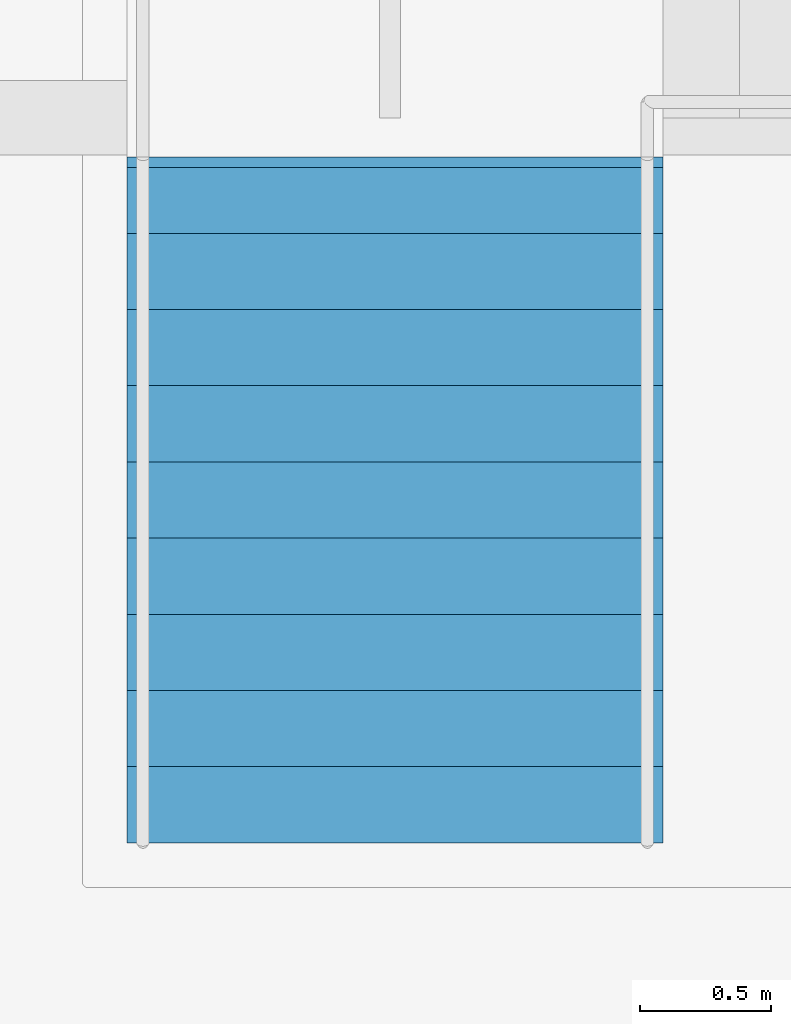
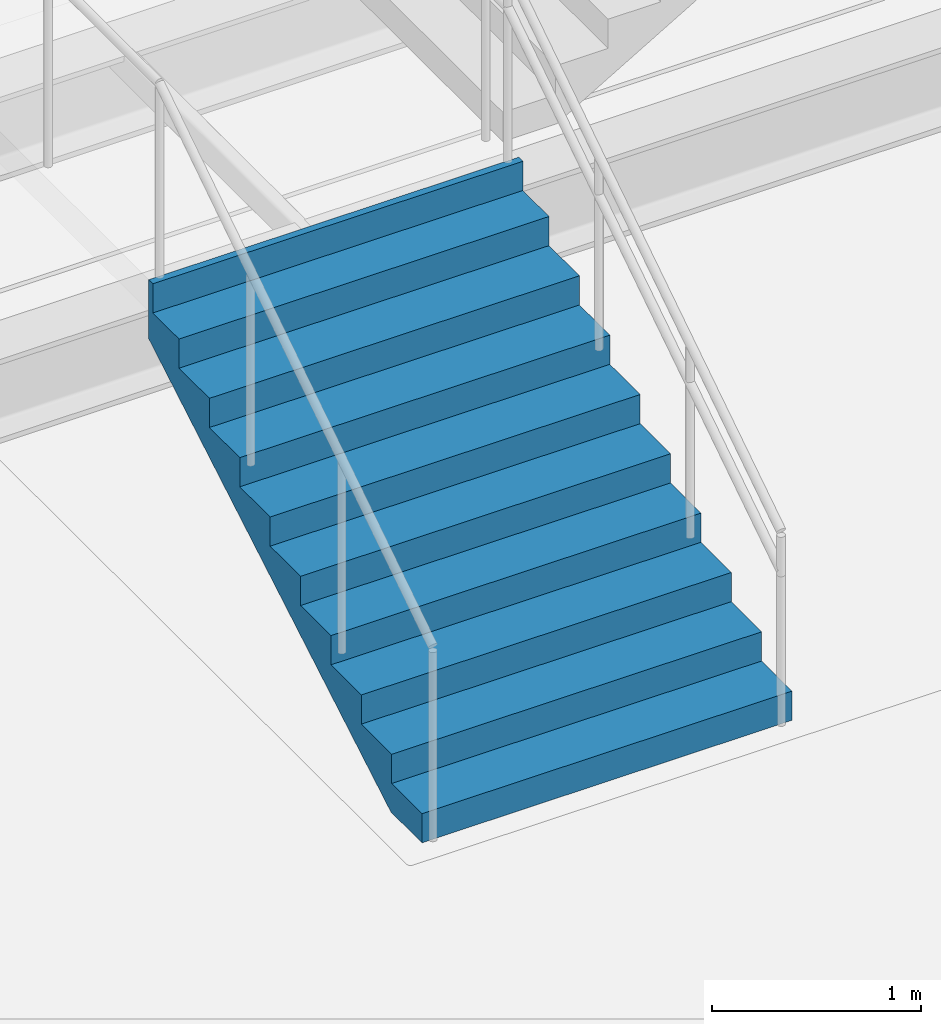
# One storey, part 57 of 66: 1 stair flight, 1 element without a shape of its own.
"""IFC4 building model written with IfcOpenShell, lengths in metres."""

from ifc_helpers import new_model, si_unit, direction, frame, origin, place, context, subcontext, project, spatial, triangles, material, type_object, element, aggregate, save


model = new_model("IFC4")

# Units and contexts
model_context = context("Model", 3, precision=1e-05, world=origin(), true_north=direction((0.0, 1.0)))
body_context = subcontext(model_context, "Body", "Model", "MODEL_VIEW")
ifc_project = project(units=[si_unit("LENGTHUNIT", "METRE"), si_unit("AREAUNIT", "SQUARE_METRE"), si_unit("VOLUMEUNIT", "CUBIC_METRE"), si_unit("PLANEANGLEUNIT", "RADIAN"), si_unit("MASSUNIT", "GRAM", prefix="KILO")], contexts=[model_context])

# Site, building, storey
site_placement = place(None, origin())
site = spatial("IfcSite", under=ifc_project, at=site_placement, CompositionType="ELEMENT")
building_placement = place(site_placement, origin())
building = spatial("IfcBuilding", under=site, at=building_placement, Name="Sillaruma Civic Art Gallery", CompositionType="ELEMENT")
storey_placement = place(building_placement, frame((0.0, 0.0, 57.1201171875)))
storey = spatial("IfcBuildingStorey", under=building, at=storey_placement, Name="L11", CompositionType="ELEMENT", Elevation=57.1201171875)

# Stair, stair flight
ifc_material = material(Name="Concrete H35 (35 MPa)", Category="concrete")
stair_type = type_object("IfcStairType", Name="STR-3F-30", PredefinedType="TWO_QUARTER_TURN_STAIR", material=ifc_material)
stair_placement = place(storey_placement, origin())
stair = element("IfcStair", 1, at=stair_placement, inside=storey, type_object=stair_type, Name="Monumental Gallery Feature Stair ST-G07 (L11)", PredefinedType="TWO_QUARTER_TURN_STAIR")
stair_flight_type = type_object("IfcStairFlightType", Name="SFL-STR-10", PredefinedType="STRAIGHT", material=ifc_material)
stair_flight_placement = place(storey_placement, frame((85.6201171875, 51.199951171875, 0.0), z_axis=(0.0, 0.0, 1.0), x_axis=(0.0, 1.0, 0.0)))
stair_flight = element("IfcStairFlight", 2, at=stair_flight_placement, type_object=stair_flight_type, Name="ST-G07 flight 1", NumberOfRisers=10, NumberOfTreads=9, PredefinedType="STRAIGHT", RiserHeight=0.17, TreadLength=0.29, context=body_context, shape_type="Tessellation", body=[
    triangles([(0.0, -1.02001953125, 0.0), (0.29, -1.02001953125, 0.0), (0.296521, -1.02001953125, 0.0), (0.58, -1.02001953125, 0.166177), (0.87, -1.02001953125, 0.336177), (1.16, -1.02001953125, 0.506177), (1.45, -1.02001953125, 0.676177), (1.74, -1.02001953125, 0.846177), (2.03, -1.02001953125, 1.016177), (2.32, -1.02001953125, 1.186177), (2.570107, -1.02001953125, 1.332792), (2.610107, -1.02001953125, 1.35624), (2.610107, -1.02001953125, 1.7), (2.570107, -1.02001953125, 1.7), (2.570107, -1.02001953125, 1.53), (2.32, -1.02001953125, 1.53), (2.32, -1.02001953125, 1.36), (2.03, -1.02001953125, 1.36), (2.03, -1.02001953125, 1.19), (1.74, -1.02001953125, 1.19), (1.74, -1.02001953125, 1.02), (1.45, -1.02001953125, 1.02), (1.45, -1.02001953125, 0.85), (1.16, -1.02001953125, 0.85), (1.16, -1.02001953125, 0.68), (0.87, -1.02001953125, 0.68), (0.87, -1.02001953125, 0.51), (0.58, -1.02001953125, 0.51), (0.58, -1.02001953125, 0.34), (0.296521, -1.02001953125, 0.34), (0.29, -1.02001953125, 0.34), (0.29, -1.02001953125, 0.17), (0.0, -1.02001953125, 0.17), (0.0, -0.05, 0.0), (0.29, -0.05, 0.0), (0.296521, -0.05, 0.0), (0.58, -0.05, 0.166177), (0.87, -0.05, 0.336177), (1.16, -0.05, 0.506177), (1.45, -0.05, 0.676177), (1.74, -0.05, 0.846177), (2.03, -0.05, 1.016177), (2.32, -0.05, 1.186177), (2.570107, -0.05, 1.332792), (2.610107, -0.05, 1.35624), (2.610107, -0.05, 1.7), (2.570107, -0.05, 1.7), (2.570107, -0.05, 1.53), (2.32, -0.05, 1.53), (2.32, -0.05, 1.36), (2.03, -0.05, 1.36), (2.03, -0.05, 1.19), (1.74, -0.05, 1.19), (1.74, -0.05, 1.02), (1.45, -0.05, 1.02), (1.45, -0.05, 0.85), (1.16, -0.05, 0.85), (1.16, -0.05, 0.68), (0.87, -0.05, 0.68), (0.87, -0.05, 0.51), (0.58, -0.05, 0.51), (0.58, -0.05, 0.34), (0.296521, -0.05, 0.34), (0.29, -0.05, 0.34), (0.29, -0.05, 0.17), (0.0, -0.05, 0.17), (0.0, -0.0375, 0.0), (0.29, -0.0375, 0.0), (0.296521, -0.0375, 0.0), (0.58, -0.0375, 0.166177), (0.87, -0.0375, 0.336177), (1.16, -0.0375, 0.506177), (1.45, -0.0375, 0.676177), (1.74, -0.0375, 0.846177), (2.03, -0.0375, 1.016177), (2.32, -0.0375, 1.186177), (2.570107, -0.0375, 1.332792), (2.610107, -0.0375, 1.35624), (2.610107, -0.0375, 1.7), (2.570107, -0.0375, 1.7), (2.570107, -0.0375, 1.53), (2.32, -0.0375, 1.53), (2.32, -0.0375, 1.36), (2.03, -0.0375, 1.36), (2.03, -0.0375, 1.19), (1.74, -0.0375, 1.19), (1.74, -0.0375, 1.02), (1.45, -0.0375, 1.02), (1.45, -0.0375, 0.85), (1.16, -0.0375, 0.85), (1.16, -0.0375, 0.68), (0.87, -0.0375, 0.68), (0.87, -0.0375, 0.51), (0.58, -0.0375, 0.51), (0.58, -0.0375, 0.34), (0.296521, -0.0375, 0.34), (0.29, -0.0375, 0.34), (0.29, -0.0375, 0.17), (0.0, -0.0375, 0.17), (0.0, -0.025, 0.0), (0.29, -0.025, 0.0), (0.296521, -0.025, 0.0), (0.58, -0.025, 0.166177), (0.87, -0.025, 0.336177), (1.16, -0.025, 0.506177), (1.45, -0.025, 0.676177), (1.74, -0.025, 0.846177), (2.03, -0.025, 1.016177), (2.32, -0.025, 1.186177), (2.570107, -0.025, 1.332792), (2.610107, -0.025, 1.35624), (2.610107, -0.025, 1.7), (2.570107, -0.025, 1.7), (2.570107, -0.025, 1.53), (2.32, -0.025, 1.53), (2.32, -0.025, 1.36), (2.03, -0.025, 1.36), (2.03, -0.025, 1.19), (1.74, -0.025, 1.19), (1.74, -0.025, 1.02), (1.45, -0.025, 1.02), (1.45, -0.025, 0.85), (1.16, -0.025, 0.85), (1.16, -0.025, 0.68), (0.87, -0.025, 0.68), (0.87, -0.025, 0.51), (0.58, -0.025, 0.51), (0.58, -0.025, 0.34), (0.296521, -0.025, 0.34), (0.29, -0.025, 0.34), (0.29, -0.025, 0.17), (0.0, -0.025, 0.17), (0.0, -0.0125, 0.0), (0.29, -0.0125, 0.0), (0.296521, -0.0125, 0.0), (0.58, -0.0125, 0.166177), (0.87, -0.0125, 0.336177), (1.16, -0.0125, 0.506177), (1.45, -0.0125, 0.676177), (1.74, -0.0125, 0.846177), (2.03, -0.0125, 1.016177), (2.32, -0.0125, 1.186177), (2.570107, -0.0125, 1.332792), (2.610107, -0.0125, 1.35624), (2.610107, -0.0125, 1.7), (2.570107, -0.0125, 1.7), (2.570107, -0.0125, 1.53), (2.32, -0.0125, 1.53), (2.32, -0.0125, 1.36), (2.03, -0.0125, 1.36), (2.03, -0.0125, 1.19), (1.74, -0.0125, 1.19), (1.74, -0.0125, 1.02), (1.45, -0.0125, 1.02), (1.45, -0.0125, 0.85), (1.16, -0.0125, 0.85), (1.16, -0.0125, 0.68), (0.87, -0.0125, 0.68), (0.87, -0.0125, 0.51), (0.58, -0.0125, 0.51), (0.58, -0.0125, 0.34), (0.296521, -0.0125, 0.34), (0.29, -0.0125, 0.34), (0.29, -0.0125, 0.17), (0.0, -0.0125, 0.17), (0.0, 0.0, 0.0), (0.29, 0.0, 0.0), (0.296521, 0.0, 0.0), (0.58, 0.0, 0.166177), (0.87, 0.0, 0.336177), (1.16, 0.0, 0.506177), (1.45, 0.0, 0.676177), (1.74, 0.0, 0.846177), (2.03, 0.0, 1.016177), (2.32, 0.0, 1.186177), (2.570107, 0.0, 1.332792), (2.610107, 0.0, 1.35624), (2.610107, 0.0, 1.7), (2.570107, 0.0, 1.7), (2.570107, 0.0, 1.53), (2.32, 0.0, 1.53), (2.32, 0.0, 1.36), (2.03, 0.0, 1.36), (2.03, 0.0, 1.19), (1.74, 0.0, 1.19), (1.74, 0.0, 1.02), (1.45, 0.0, 1.02), (1.45, 0.0, 0.85), (1.16, 0.0, 0.85), (1.16, 0.0, 0.68), (0.87, 0.0, 0.68), (0.87, 0.0, 0.51), (0.58, 0.0, 0.51), (0.58, 0.0, 0.34), (0.296521, 0.0, 0.34), (0.29, 0.0, 0.34), (0.29, 0.0, 0.17), (0.0, 0.0, 0.17), (0.0, 0.0125, 0.0), (0.29, 0.0125, 0.0), (0.296521, 0.0125, 0.0), (0.58, 0.0125, 0.166177), (0.87, 0.0125, 0.336177), (1.16, 0.0125, 0.506177), (1.45, 0.0125, 0.676177), (1.74, 0.0125, 0.846177), (2.03, 0.0125, 1.016177), (2.32, 0.0125, 1.186177), (2.570107, 0.0125, 1.332792), (2.610107, 0.0125, 1.35624), (2.610107, 0.0125, 1.7), (2.570107, 0.0125, 1.7), (2.570107, 0.0125, 1.53), (2.32, 0.0125, 1.53), (2.32, 0.0125, 1.36), (2.03, 0.0125, 1.36), (2.03, 0.0125, 1.19), (1.74, 0.0125, 1.19), (1.74, 0.0125, 1.02), (1.45, 0.0125, 1.02), (1.45, 0.0125, 0.85), (1.16, 0.0125, 0.85), (1.16, 0.0125, 0.68), (0.87, 0.0125, 0.68), (0.87, 0.0125, 0.51), (0.58, 0.0125, 0.51), (0.58, 0.0125, 0.34), (0.296521, 0.0125, 0.34), (0.29, 0.0125, 0.34), (0.29, 0.0125, 0.17), (0.0, 0.0125, 0.17), (0.0, 0.025, 0.0), (0.29, 0.025, 0.0), (0.296521, 0.025, 0.0), (0.58, 0.025, 0.166177), (0.87, 0.025, 0.336177), (1.16, 0.025, 0.506177), (1.45, 0.025, 0.676177), (1.74, 0.025, 0.846177), (2.03, 0.025, 1.016177), (2.32, 0.025, 1.186177), (2.570107, 0.025, 1.332792), (2.610107, 0.025, 1.35624), (2.610107, 0.025, 1.7), (2.570107, 0.025, 1.7), (2.570107, 0.025, 1.53), (2.32, 0.025, 1.53), (2.32, 0.025, 1.36), (2.03, 0.025, 1.36), (2.03, 0.025, 1.19), (1.74, 0.025, 1.19), (1.74, 0.025, 1.02), (1.45, 0.025, 1.02), (1.45, 0.025, 0.85), (1.16, 0.025, 0.85), (1.16, 0.025, 0.68), (0.87, 0.025, 0.68), (0.87, 0.025, 0.51), (0.58, 0.025, 0.51), (0.58, 0.025, 0.34), (0.296521, 0.025, 0.34), (0.29, 0.025, 0.34), (0.29, 0.025, 0.17), (0.0, 0.025, 0.17), (0.0, 0.0375, 0.0), (0.29, 0.0375, 0.0), (0.296521, 0.0375, 0.0), (0.58, 0.0375, 0.166177), (0.87, 0.0375, 0.336177), (1.16, 0.0375, 0.506177), (1.45, 0.0375, 0.676177), (1.74, 0.0375, 0.846177), (2.03, 0.0375, 1.016177), (2.32, 0.0375, 1.186177), (2.570107, 0.0375, 1.332792), (2.610107, 0.0375, 1.35624), (2.610107, 0.0375, 1.7), (2.570107, 0.0375, 1.7), (2.570107, 0.0375, 1.53), (2.32, 0.0375, 1.53), (2.32, 0.0375, 1.36), (2.03, 0.0375, 1.36), (2.03, 0.0375, 1.19), (1.74, 0.0375, 1.19), (1.74, 0.0375, 1.02), (1.45, 0.0375, 1.02), (1.45, 0.0375, 0.85), (1.16, 0.0375, 0.85), (1.16, 0.0375, 0.68), (0.87, 0.0375, 0.68), (0.87, 0.0375, 0.51), (0.58, 0.0375, 0.51), (0.58, 0.0375, 0.34), (0.296521, 0.0375, 0.34), (0.29, 0.0375, 0.34), (0.29, 0.0375, 0.17), (0.0, 0.0375, 0.17), (0.0, 0.05, 0.0), (0.29, 0.05, 0.0), (0.296521, 0.05, 0.0), (0.58, 0.05, 0.166177), (0.87, 0.05, 0.336177), (1.16, 0.05, 0.506177), (1.45, 0.05, 0.676177), (1.74, 0.05, 0.846177), (2.03, 0.05, 1.016177), (2.32, 0.05, 1.186177), (2.570107, 0.05, 1.332792), (2.610107, 0.05, 1.35624), (2.610107, 0.05, 1.7), (2.570107, 0.05, 1.7), (2.570107, 0.05, 1.53), (2.32, 0.05, 1.53), (2.32, 0.05, 1.36), (2.03, 0.05, 1.36), (2.03, 0.05, 1.19), (1.74, 0.05, 1.19), (1.74, 0.05, 1.02), (1.45, 0.05, 1.02), (1.45, 0.05, 0.85), (1.16, 0.05, 0.85), (1.16, 0.05, 0.68), (0.87, 0.05, 0.68), (0.87, 0.05, 0.51), (0.58, 0.05, 0.51), (0.58, 0.05, 0.34), (0.296521, 0.05, 0.34), (0.29, 0.05, 0.34), (0.29, 0.05, 0.17), (0.0, 0.05, 0.17), (0.0, 1.02001953125, 0.0), (0.29, 1.02001953125, 0.0), (0.296521, 1.02001953125, 0.0), (0.58, 1.02001953125, 0.166177), (0.87, 1.02001953125, 0.336177), (1.16, 1.02001953125, 0.506177), (1.45, 1.02001953125, 0.676177), (1.74, 1.02001953125, 0.846177), (2.03, 1.02001953125, 1.016177), (2.32, 1.02001953125, 1.186177), (2.570107, 1.02001953125, 1.332792), (2.610107, 1.02001953125, 1.35624), (2.610107, 1.02001953125, 1.7), (2.570107, 1.02001953125, 1.7), (2.570107, 1.02001953125, 1.53), (2.32, 1.02001953125, 1.53), (2.32, 1.02001953125, 1.36), (2.03, 1.02001953125, 1.36), (2.03, 1.02001953125, 1.19), (1.74, 1.02001953125, 1.19), (1.74, 1.02001953125, 1.02), (1.45, 1.02001953125, 1.02), (1.45, 1.02001953125, 0.85), (1.16, 1.02001953125, 0.85), (1.16, 1.02001953125, 0.68), (0.87, 1.02001953125, 0.68), (0.87, 1.02001953125, 0.51), (0.58, 1.02001953125, 0.51), (0.58, 1.02001953125, 0.34), (0.296521, 1.02001953125, 0.34), (0.29, 1.02001953125, 0.34), (0.29, 1.02001953125, 0.17), (0.0, 1.02001953125, 0.17)], [[1, 2, 32], [1, 32, 33], [2, 3, 30], [2, 30, 32], [32, 30, 31], [3, 4, 29], [3, 29, 30], [4, 5, 27], [4, 27, 29], [29, 27, 28], [5, 6, 25], [5, 25, 27], [27, 25, 26], [6, 7, 23], [6, 23, 25], [25, 23, 24], [7, 8, 21], [7, 21, 23], [23, 21, 22], [8, 9, 19], [8, 19, 21], [21, 19, 20], [9, 10, 17], [9, 17, 19], [19, 17, 18], [10, 11, 15], [10, 15, 17], [17, 15, 16], [11, 12, 13], [11, 13, 15], [15, 13, 14], [362, 332, 331], [363, 362, 331], [360, 333, 332], [362, 360, 332], [361, 360, 362], [359, 334, 333], [360, 359, 333], [357, 335, 334], [359, 357, 334], [358, 357, 359], [355, 336, 335], [357, 355, 335], [356, 355, 357], [353, 337, 336], [355, 353, 336], [354, 353, 355], [351, 338, 337], [353, 351, 337], [352, 351, 353], [349, 339, 338], [351, 349, 338], [350, 349, 351], [347, 340, 339], [349, 347, 339], [348, 347, 349], [345, 341, 340], [347, 345, 340], [346, 345, 347], [343, 342, 341], [345, 343, 341], [344, 343, 345], [2, 1, 34], [2, 34, 35], [3, 2, 35], [3, 35, 36], [4, 3, 36], [4, 36, 37], [5, 4, 37], [5, 37, 38], [6, 5, 38], [6, 38, 39], [7, 6, 39], [7, 39, 40], [8, 7, 40], [8, 40, 41], [9, 8, 41], [9, 41, 42], [10, 9, 42], [10, 42, 43], [11, 10, 43], [11, 43, 44], [12, 11, 44], [12, 44, 45], [13, 12, 45], [13, 45, 46], [14, 13, 46], [14, 46, 47], [15, 14, 47], [15, 47, 48], [16, 15, 48], [16, 48, 49], [17, 16, 49], [17, 49, 50], [18, 17, 50], [18, 50, 51], [19, 18, 51], [19, 51, 52], [20, 19, 52], [20, 52, 53], [21, 20, 53], [21, 53, 54], [22, 21, 54], [22, 54, 55], [23, 22, 55], [23, 55, 56], [24, 23, 56], [24, 56, 57], [25, 24, 57], [25, 57, 58], [26, 25, 58], [26, 58, 59], [27, 26, 59], [27, 59, 60], [28, 27, 60], [28, 60, 61], [29, 28, 61], [29, 61, 62], [30, 29, 62], [30, 62, 63], [31, 30, 63], [31, 63, 64], [32, 31, 64], [32, 64, 65], [33, 32, 65], [33, 65, 66], [1, 33, 66], [1, 66, 34], [35, 34, 67], [35, 67, 68], [36, 35, 68], [36, 68, 69], [37, 36, 69], [37, 69, 70], [38, 37, 70], [38, 70, 71], [39, 38, 71], [39, 71, 72], [40, 39, 72], [40, 72, 73], [41, 40, 73], [41, 73, 74], [42, 41, 74], [42, 74, 75], [43, 42, 75], [43, 75, 76], [44, 43, 76], [44, 76, 77], [45, 44, 77], [45, 77, 78], [46, 45, 78], [46, 78, 79], [47, 46, 79], [47, 79, 80], [48, 47, 80], [48, 80, 81], [49, 48, 81], [49, 81, 82], [50, 49, 82], [50, 82, 83], [51, 50, 83], [51, 83, 84], [52, 51, 84], [52, 84, 85], [53, 52, 85], [53, 85, 86], [54, 53, 86], [54, 86, 87], [55, 54, 87], [55, 87, 88], [56, 55, 88], [56, 88, 89], [57, 56, 89], [57, 89, 90], [58, 57, 90], [58, 90, 91], [59, 58, 91], [59, 91, 92], [60, 59, 92], [60, 92, 93], [61, 60, 93], [61, 93, 94], [62, 61, 94], [62, 94, 95], [63, 62, 95], [63, 95, 96], [64, 63, 96], [64, 96, 97], [65, 64, 97], [65, 97, 98], [66, 65, 98], [66, 98, 99], [34, 66, 99], [34, 99, 67], [68, 67, 100], [68, 100, 101], [69, 68, 101], [69, 101, 102], [70, 69, 102], [70, 102, 103], [71, 70, 103], [71, 103, 104], [72, 71, 104], [72, 104, 105], [73, 72, 105], [73, 105, 106], [74, 73, 106], [74, 106, 107], [75, 74, 107], [75, 107, 108], [76, 75, 108], [76, 108, 109], [77, 76, 109], [77, 109, 110], [78, 77, 110], [78, 110, 111], [79, 78, 111], [79, 111, 112], [80, 79, 112], [80, 112, 113], [81, 80, 113], [81, 113, 114], [82, 81, 114], [82, 114, 115], [83, 82, 115], [83, 115, 116], [84, 83, 116], [84, 116, 117], [85, 84, 117], [85, 117, 118], [86, 85, 118], [86, 118, 119], [87, 86, 119], [87, 119, 120], [88, 87, 120], [88, 120, 121], [89, 88, 121], [89, 121, 122], [90, 89, 122], [90, 122, 123], [91, 90, 123], [91, 123, 124], [92, 91, 124], [92, 124, 125], [93, 92, 125], [93, 125, 126], [94, 93, 126], [94, 126, 127], [95, 94, 127], [95, 127, 128], [96, 95, 128], [96, 128, 129], [97, 96, 129], [97, 129, 130], [98, 97, 130], [98, 130, 131], [99, 98, 131], [99, 131, 132], [67, 99, 132], [67, 132, 100], [101, 100, 133], [101, 133, 134], [102, 101, 134], [102, 134, 135], [103, 102, 135], [103, 135, 136], [104, 103, 136], [104, 136, 137], [105, 104, 137], [105, 137, 138], [106, 105, 138], [106, 138, 139], [107, 106, 139], [107, 139, 140], [108, 107, 140], [108, 140, 141], [109, 108, 141], [109, 141, 142], [110, 109, 142], [110, 142, 143], [111, 110, 143], [111, 143, 144], [112, 111, 144], [112, 144, 145], [113, 112, 145], [113, 145, 146], [114, 113, 146], [114, 146, 147], [115, 114, 147], [115, 147, 148], [116, 115, 148], [116, 148, 149], [117, 116, 149], [117, 149, 150], [118, 117, 150], [118, 150, 151], [119, 118, 151], [119, 151, 152], [120, 119, 152], [120, 152, 153], [121, 120, 153], [121, 153, 154], [122, 121, 154], [122, 154, 155], [123, 122, 155], [123, 155, 156], [124, 123, 156], [124, 156, 157], [125, 124, 157], [125, 157, 158], [126, 125, 158], [126, 158, 159], [127, 126, 159], [127, 159, 160], [128, 127, 160], [128, 160, 161], [129, 128, 161], [129, 161, 162], [130, 129, 162], [130, 162, 163], [131, 130, 163], [131, 163, 164], [132, 131, 164], [132, 164, 165], [100, 132, 165], [100, 165, 133], [134, 133, 166], [134, 166, 167], [135, 134, 167], [135, 167, 168], [136, 135, 168], [136, 168, 169], [137, 136, 169], [137, 169, 170], [138, 137, 170], [138, 170, 171], [139, 138, 171], [139, 171, 172], [140, 139, 172], [140, 172, 173], [141, 140, 173], [141, 173, 174], [142, 141, 174], [142, 174, 175], [143, 142, 175], [143, 175, 176], [144, 143, 176], [144, 176, 177], [145, 144, 177], [145, 177, 178], [146, 145, 178], [146, 178, 179], [147, 146, 179], [147, 179, 180], [148, 147, 180], [148, 180, 181], [149, 148, 181], [149, 181, 182], [150, 149, 182], [150, 182, 183], [151, 150, 183], [151, 183, 184], [152, 151, 184], [152, 184, 185], [153, 152, 185], [153, 185, 186], [154, 153, 186], [154, 186, 187], [155, 154, 187], [155, 187, 188], [156, 155, 188], [156, 188, 189], [157, 156, 189], [157, 189, 190], [158, 157, 190], [158, 190, 191], [159, 158, 191], [159, 191, 192], [160, 159, 192], [160, 192, 193], [161, 160, 193], [161, 193, 194], [162, 161, 194], [162, 194, 195], [163, 162, 195], [163, 195, 196], [164, 163, 196], [164, 196, 197], [165, 164, 197], [165, 197, 198], [133, 165, 198], [133, 198, 166], [167, 166, 199], [167, 199, 200], [168, 167, 200], [168, 200, 201], [169, 168, 201], [169, 201, 202], [170, 169, 202], [170, 202, 203], [171, 170, 203], [171, 203, 204], [172, 171, 204], [172, 204, 205], [173, 172, 205], [173, 205, 206], [174, 173, 206], [174, 206, 207], [175, 174, 207], [175, 207, 208], [176, 175, 208], [176, 208, 209], [177, 176, 209], [177, 209, 210], [178, 177, 210], [178, 210, 211], [179, 178, 211], [179, 211, 212], [180, 179, 212], [180, 212, 213], [181, 180, 213], [181, 213, 214], [182, 181, 214], [182, 214, 215], [183, 182, 215], [183, 215, 216], [184, 183, 216], [184, 216, 217], [185, 184, 217], [185, 217, 218], [186, 185, 218], [186, 218, 219], [187, 186, 219], [187, 219, 220], [188, 187, 220], [188, 220, 221], [189, 188, 221], [189, 221, 222], [190, 189, 222], [190, 222, 223], [191, 190, 223], [191, 223, 224], [192, 191, 224], [192, 224, 225], [193, 192, 225], [193, 225, 226], [194, 193, 226], [194, 226, 227], [195, 194, 227], [195, 227, 228], [196, 195, 228], [196, 228, 229], [197, 196, 229], [197, 229, 230], [198, 197, 230], [198, 230, 231], [166, 198, 231], [166, 231, 199], [200, 199, 232], [200, 232, 233], [201, 200, 233], [201, 233, 234], [202, 201, 234], [202, 234, 235], [203, 202, 235], [203, 235, 236], [204, 203, 236], [204, 236, 237], [205, 204, 237], [205, 237, 238], [206, 205, 238], [206, 238, 239], [207, 206, 239], [207, 239, 240], [208, 207, 240], [208, 240, 241], [209, 208, 241], [209, 241, 242], [210, 209, 242], [210, 242, 243], [211, 210, 243], [211, 243, 244], [212, 211, 244], [212, 244, 245], [213, 212, 245], [213, 245, 246], [214, 213, 246], [214, 246, 247], [215, 214, 247], [215, 247, 248], [216, 215, 248], [216, 248, 249], [217, 216, 249], [217, 249, 250], [218, 217, 250], [218, 250, 251], [219, 218, 251], [219, 251, 252], [220, 219, 252], [220, 252, 253], [221, 220, 253], [221, 253, 254], [222, 221, 254], [222, 254, 255], [223, 222, 255], [223, 255, 256], [224, 223, 256], [224, 256, 257], [225, 224, 257], [225, 257, 258], [226, 225, 258], [226, 258, 259], [227, 226, 259], [227, 259, 260], [228, 227, 260], [228, 260, 261], [229, 228, 261], [229, 261, 262], [230, 229, 262], [230, 262, 263], [231, 230, 263], [231, 263, 264], [199, 231, 264], [199, 264, 232], [233, 232, 265], [233, 265, 266], [234, 233, 266], [234, 266, 267], [235, 234, 267], [235, 267, 268], [236, 235, 268], [236, 268, 269], [237, 236, 269], [237, 269, 270], [238, 237, 270], [238, 270, 271], [239, 238, 271], [239, 271, 272], [240, 239, 272], [240, 272, 273], [241, 240, 273], [241, 273, 274], [242, 241, 274], [242, 274, 275], [243, 242, 275], [243, 275, 276], [244, 243, 276], [244, 276, 277], [245, 244, 277], [245, 277, 278], [246, 245, 278], [246, 278, 279], [247, 246, 279], [247, 279, 280], [248, 247, 280], [248, 280, 281], [249, 248, 281], [249, 281, 282], [250, 249, 282], [250, 282, 283], [251, 250, 283], [251, 283, 284], [252, 251, 284], [252, 284, 285], [253, 252, 285], [253, 285, 286], [254, 253, 286], [254, 286, 287], [255, 254, 287], [255, 287, 288], [256, 255, 288], [256, 288, 289], [257, 256, 289], [257, 289, 290], [258, 257, 290], [258, 290, 291], [259, 258, 291], [259, 291, 292], [260, 259, 292], [260, 292, 293], [261, 260, 293], [261, 293, 294], [262, 261, 294], [262, 294, 295], [263, 262, 295], [263, 295, 296], [264, 263, 296], [264, 296, 297], [232, 264, 297], [232, 297, 265], [266, 265, 298], [266, 298, 299], [267, 266, 299], [267, 299, 300], [268, 267, 300], [268, 300, 301], [269, 268, 301], [269, 301, 302], [270, 269, 302], [270, 302, 303], [271, 270, 303], [271, 303, 304], [272, 271, 304], [272, 304, 305], [273, 272, 305], [273, 305, 306], [274, 273, 306], [274, 306, 307], [275, 274, 307], [275, 307, 308], [276, 275, 308], [276, 308, 309], [277, 276, 309], [277, 309, 310], [278, 277, 310], [278, 310, 311], [279, 278, 311], [279, 311, 312], [280, 279, 312], [280, 312, 313], [281, 280, 313], [281, 313, 314], [282, 281, 314], [282, 314, 315], [283, 282, 315], [283, 315, 316], [284, 283, 316], [284, 316, 317], [285, 284, 317], [285, 317, 318], [286, 285, 318], [286, 318, 319], [287, 286, 319], [287, 319, 320], [288, 287, 320], [288, 320, 321], [289, 288, 321], [289, 321, 322], [290, 289, 322], [290, 322, 323], [291, 290, 323], [291, 323, 324], [292, 291, 324], [292, 324, 325], [293, 292, 325], [293, 325, 326], [294, 293, 326], [294, 326, 327], [295, 294, 327], [295, 327, 328], [296, 295, 328], [296, 328, 329], [297, 296, 329], [297, 329, 330], [265, 297, 330], [265, 330, 298], [299, 298, 331], [299, 331, 332], [300, 299, 332], [300, 332, 333], [301, 300, 333], [301, 333, 334], [302, 301, 334], [302, 334, 335], [303, 302, 335], [303, 335, 336], [304, 303, 336], [304, 336, 337], [305, 304, 337], [305, 337, 338], [306, 305, 338], [306, 338, 339], [307, 306, 339], [307, 339, 340], [308, 307, 340], [308, 340, 341], [309, 308, 341], [309, 341, 342], [310, 309, 342], [310, 342, 343], [311, 310, 343], [311, 343, 344], [312, 311, 344], [312, 344, 345], [313, 312, 345], [313, 345, 346], [314, 313, 346], [314, 346, 347], [315, 314, 347], [315, 347, 348], [316, 315, 348], [316, 348, 349], [317, 316, 349], [317, 349, 350], [318, 317, 350], [318, 350, 351], [319, 318, 351], [319, 351, 352], [320, 319, 352], [320, 352, 353], [321, 320, 353], [321, 353, 354], [322, 321, 354], [322, 354, 355], [323, 322, 355], [323, 355, 356], [324, 323, 356], [324, 356, 357], [325, 324, 357], [325, 357, 358], [326, 325, 358], [326, 358, 359], [327, 326, 359], [327, 359, 360], [328, 327, 360], [328, 360, 361], [329, 328, 361], [329, 361, 362], [330, 329, 362], [330, 362, 363], [298, 330, 363], [298, 363, 331]], closed=True),
])
aggregate(stair, [stair_flight])

save(model, "model.ifc")
